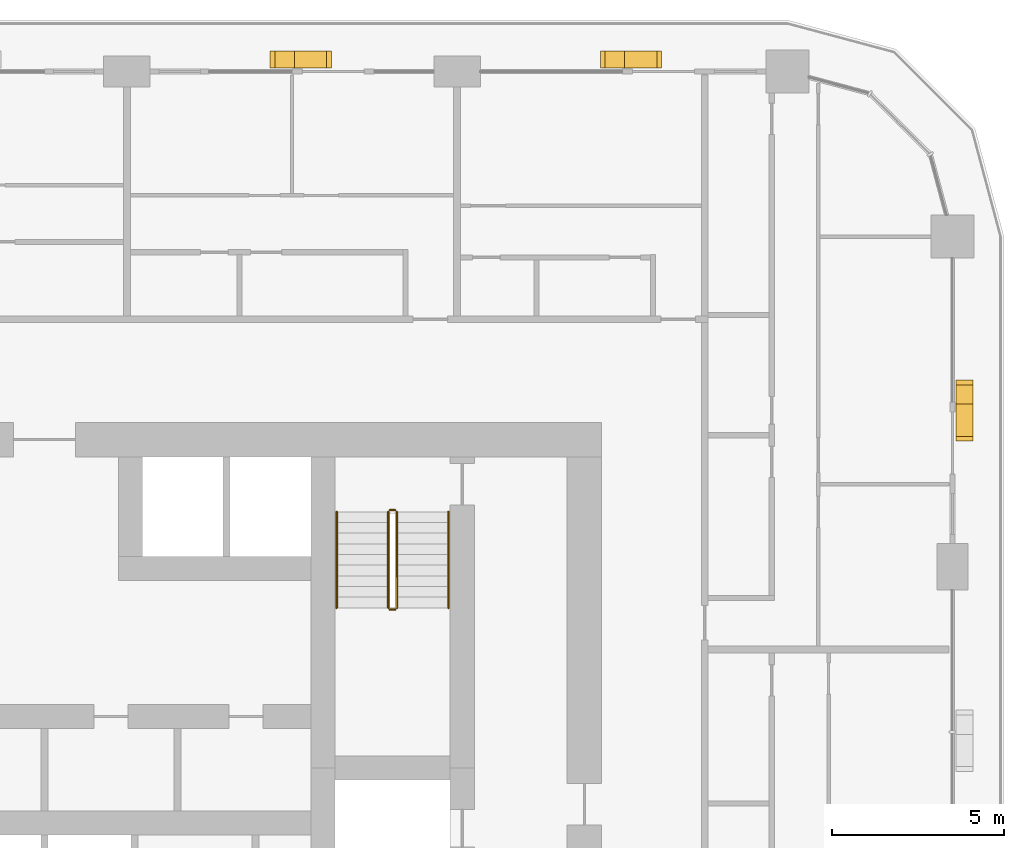
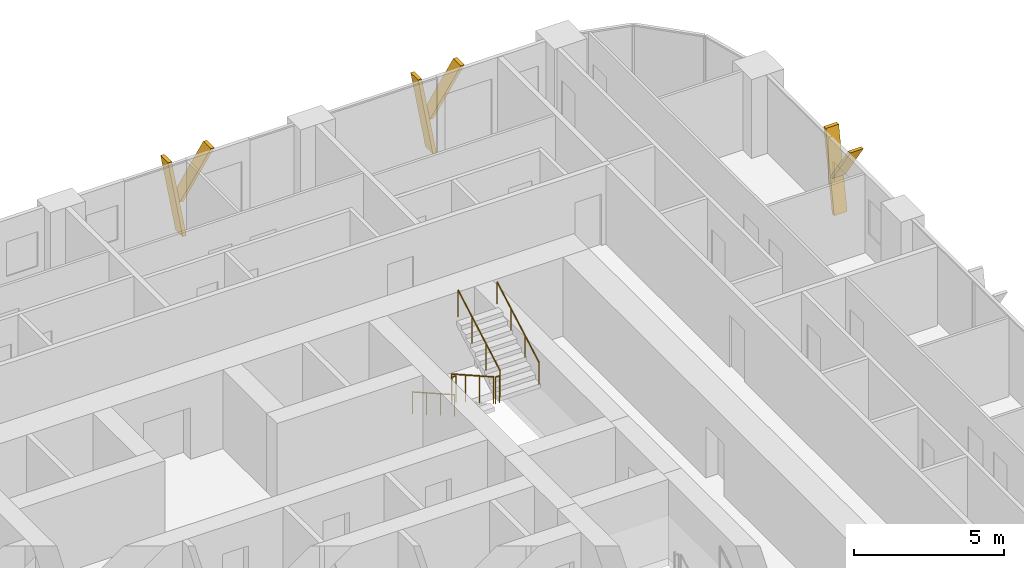
# One storey, part 21 of 21: 6 railings, 6 shading devices.
"""IFC4 building model written with IfcOpenShell, lengths in metres."""

from ifc_helpers import new_model, si_unit, direction, frame, origin, origin_2d, place, context, subcontext, project, spatial, polyline, circle, outline, extrude, material, type_object, element, save


model = new_model("IFC4")

# Units and contexts
model_context = context("Model", 3, precision=1e-05, world=origin(), true_north=direction((0.0, 1.0)))
body_context = subcontext(model_context, "Body", "Model", "MODEL_VIEW")
ifc_project = project(units=[si_unit("LENGTHUNIT", "METRE"), si_unit("AREAUNIT", "SQUARE_METRE"), si_unit("VOLUMEUNIT", "CUBIC_METRE"), si_unit("PLANEANGLEUNIT", "RADIAN"), si_unit("MASSUNIT", "GRAM", prefix="KILO")], contexts=[model_context])

# Site, building, storey
site_placement = place(None, origin())
site = spatial("IfcSite", under=ifc_project, at=site_placement, CompositionType="ELEMENT")
building_placement = place(site_placement, origin())
building = spatial("IfcBuilding", under=site, at=building_placement, Name="Madar Terraces", CompositionType="ELEMENT")
storey_placement = place(building_placement, frame((0.0, 0.0, 36.39990234375)))
storey = spatial("IfcBuildingStorey", under=building, at=storey_placement, Name="L08", CompositionType="ELEMENT", Elevation=36.39990234375)

# Shading devices
ifc_material_1 = material(Name="Aluminium, black anodised", Category="aluminium")
shading_device_type = type_object("IfcShadingDeviceType", Name="Facade fin blade 140 x 500", PredefinedType="USERDEFINED", material=ifc_material_1)
shading_device_1_placement = place(storey_placement, frame((57.949951171875, 38.330078125, 0.0), z_axis=(0.0, 0.0, 1.0), x_axis=(0.0, 1.0, 0.0)))
element("IfcShadingDevice", 1, at=shading_device_1_placement, inside=storey, type_object=shading_device_type, Name="FIN L08 E4", ObjectType="FIN", PredefinedType="USERDEFINED", context=body_context, shape_type="SweptSolid", body=[
    extrude(outline(polyline([(0.0, 0.0), (0.139892578125, 0.0), (0.704345703125, 3.2001953125), (0.564208984375, 3.2001953125), (0.0, 0.0)])), frame((0.0, 0.25, 0.0), z_axis=(0.0, -1.0, 0.0), x_axis=(1.0, 0.0, 0.0)), (0.0, 0.0, 1.0), 0.5),
])
shading_device_2_placement = place(storey_placement, frame((57.949951171875, 38.44384765625, 1.440185546875), z_axis=(0.0, 0.0, 1.0), x_axis=(0.0, 1.0, 0.0)))
element("IfcShadingDevice", 2, at=shading_device_2_placement, inside=storey, type_object=shading_device_type, Name="FIN L08 E4 branch", ObjectType="FIN", PredefinedType="USERDEFINED", context=body_context, shape_type="SweptSolid", body=[
    extrude(outline(polyline([(0.0, 0.0), (0.14013671875, 0.0), (-1.049560546875, 1.760009765625), (-1.189697265625, 1.760009765625), (0.0, 0.0)])), frame((0.0, 0.25, 0.0), z_axis=(0.0, -1.0, 0.0), x_axis=(1.0, 0.0, 0.0)), (0.0, 0.0, 1.0), 0.5),
])
shading_device_3_placement = place(storey_placement, frame((48.070068359375, 48.35009765625, 0.0), z_axis=(0.0, 0.0, 1.0), x_axis=(-1.0, 0.0, 0.0)))
element("IfcShadingDevice", 3, at=shading_device_3_placement, inside=storey, type_object=shading_device_type, Name="FIN L08 N1", ObjectType="FIN", PredefinedType="USERDEFINED", context=body_context, shape_type="SweptSolid", body=[
    extrude(outline(polyline([(0.0, 0.0), (0.14013671875, 0.0), (0.704345703125, 3.2001953125), (0.564208984375, 3.2001953125), (0.0, 0.0)])), frame((0.0, 0.25, 0.0), z_axis=(0.0, -1.0, 0.0), x_axis=(1.0, 0.0, 0.0)), (0.0, 0.0, 1.0), 0.5),
])
shading_device_4_placement = place(storey_placement, frame((47.9560546875, 48.35009765625, 1.440185546875), z_axis=(0.0, 0.0, 1.0), x_axis=(-1.0, 0.0, 0.0)))
element("IfcShadingDevice", 4, at=shading_device_4_placement, inside=storey, type_object=shading_device_type, Name="FIN L08 N1 branch", ObjectType="FIN", PredefinedType="USERDEFINED", context=body_context, shape_type="SweptSolid", body=[
    extrude(outline(polyline([(0.0, 0.0), (0.139892578125, 0.0), (-1.049560546875, 1.760009765625), (-1.189697265625, 1.760009765625), (0.0, 0.0)])), frame((0.0, 0.25, 0.0), z_axis=(0.0, -1.0, 0.0), x_axis=(1.0, 0.0, 0.0)), (0.0, 0.0, 1.0), 0.5),
])
shading_device_5_placement = place(storey_placement, frame((38.469970703125, 48.35009765625, 0.0), z_axis=(0.0, 0.0, 1.0), x_axis=(-1.0, 0.0, 0.0)))
element("IfcShadingDevice", 5, at=shading_device_5_placement, inside=storey, type_object=shading_device_type, Name="FIN L08 N2", ObjectType="FIN", PredefinedType="USERDEFINED", context=body_context, shape_type="SweptSolid", body=[
    extrude(outline(polyline([(0.0, 0.0), (0.139892578125, 0.0), (0.704345703125, 3.2001953125), (0.564208984375, 3.2001953125), (0.0, 0.0)])), frame((0.0, 0.25, 0.0), z_axis=(0.0, -1.0, 0.0), x_axis=(1.0, 0.0, 0.0)), (0.0, 0.0, 1.0), 0.5),
])
shading_device_6_placement = place(storey_placement, frame((38.356201171875, 48.35009765625, 1.440185546875), z_axis=(0.0, 0.0, 1.0), x_axis=(-1.0, 0.0, 0.0)))
element("IfcShadingDevice", 6, at=shading_device_6_placement, inside=storey, type_object=shading_device_type, Name="FIN L08 N2 branch", ObjectType="FIN", PredefinedType="USERDEFINED", context=body_context, shape_type="SweptSolid", body=[
    extrude(outline(polyline([(0.0, 0.0), (0.14013671875, 0.0), (-1.049560546875, 1.760009765625), (-1.189697265625, 1.760009765625), (0.0, 0.0)])), frame((0.0, 0.25, 0.0), z_axis=(0.0, -1.0, 0.0), x_axis=(1.0, 0.0, 0.0)), (0.0, 0.0, 1.0), 0.5),
])

# Railings
ifc_material_2 = material(Name="Stainless steel railing", Category="steel")
railing_type_1 = type_object("IfcRailingType", Name="Stair guard 1100", PredefinedType="GUARDRAIL", material=ifc_material_2)
railing_1_placement = place(storey_placement, frame((41.199951171875, 35.199951171875, 0.175048828125)))
element("IfcRailing", 7, at=railing_1_placement, inside=storey, type_object=railing_type_1, Name="L08 ST2 stair guard 1", PredefinedType="GUARDRAIL", context=body_context, shape_type="SweptSolid", body=[
    extrude(circle(Radius=0.02392578125, at=origin_2d()), frame((0.0, 0.0, 1.076171875), z_axis=(0.0, -0.870833779661, 0.491577591232), x_axis=(1.0, 0.0, 0.0)), (0.0, 0.0, 1.0), 3.203857421875),
    extrude(circle(Radius=0.02099609375, at=origin_2d()), origin(), (0.0, 0.0, 1.0), 1.052001953125),
    extrude(circle(Radius=0.02099609375, at=origin_2d()), frame((0.0, -0.929931640625, 0.52490234375)), (0.0, 0.0, 1.0), 1.052001953125),
    extrude(circle(Radius=0.02099609375, at=origin_2d()), frame((0.0, -1.860107421875, 1.050048828125)), (0.0, 0.0, 1.0), 1.052001953125),
    extrude(circle(Radius=0.02099609375, at=origin_2d()), frame((0.0, -2.7900390625, 1.574951171875)), (0.0, 0.0, 1.0), 1.052001953125),
])
railing_2_placement = place(storey_placement, frame((41.25, 32.360107421875, 1.75)))
element("IfcRailing", 8, at=railing_2_placement, inside=storey, type_object=railing_type_1, Name="L08 ST2 stair guard 2", PredefinedType="GUARDRAIL", context=body_context, shape_type="SweptSolid", body=[
    extrude(circle(Radius=0.02392578125, at=origin_2d()), frame((0.0, 0.0, 1.076171875), z_axis=(1.0, 0.0, 0.0), x_axis=(0.0, 1.0, 0.0)), (0.0, 0.0, 1.0), 0.14990234375),
    extrude(circle(Radius=0.02099609375, at=origin_2d()), origin(), (0.0, 0.0, 1.0), 1.052001953125),
    extrude(circle(Radius=0.02099609375, at=origin_2d()), frame((0.14990234375, 0.0, 0.0)), (0.0, 0.0, 1.0), 1.052001953125),
])
railing_3_placement = place(storey_placement, frame((41.449951171875, 32.409912109375, 1.925048828125)))
element("IfcRailing", 9, at=railing_3_placement, inside=storey, type_object=railing_type_1, Name="L08 ST2 stair guard 3", PredefinedType="GUARDRAIL", context=body_context, shape_type="SweptSolid", body=[
    extrude(circle(Radius=0.02392578125, at=origin_2d()), frame((0.0, 0.0, 1.076171875), z_axis=(0.0, 0.870833779661, 0.491577591232), x_axis=(-1.0, 0.0, 0.0)), (0.0, 0.0, 1.0), 3.203857421875),
    extrude(circle(Radius=0.02099609375, at=origin_2d()), origin(), (0.0, 0.0, 1.0), 1.052001953125),
    extrude(circle(Radius=0.02099609375, at=origin_2d()), frame((0.0, 0.929931640625, 0.52490234375)), (0.0, 0.0, 1.0), 1.052001953125),
    extrude(circle(Radius=0.02099609375, at=origin_2d()), frame((0.0, 1.860107421875, 1.050048828125)), (0.0, 0.0, 1.0), 1.052001953125),
    extrude(circle(Radius=0.02099609375, at=origin_2d()), frame((0.0, 2.7900390625, 1.574951171875)), (0.0, 0.0, 1.0), 1.052001953125),
])
railing_4_placement = place(storey_placement, frame((41.25, 35.25, 0.0)))
element("IfcRailing", 10, at=railing_4_placement, inside=storey, type_object=railing_type_1, Name="L08 ST2 stair guard 4", PredefinedType="GUARDRAIL", context=body_context, shape_type="SweptSolid", body=[
    extrude(circle(Radius=0.02392578125, at=origin_2d()), frame((0.0, 0.0, 1.076171875), z_axis=(1.0, 0.0, 0.0), x_axis=(0.0, 1.0, 0.0)), (0.0, 0.0, 1.0), 0.14990234375),
    extrude(circle(Radius=0.02099609375, at=origin_2d()), origin(), (0.0, 0.0, 1.0), 1.052001953125),
    extrude(circle(Radius=0.02099609375, at=origin_2d()), frame((0.14990234375, 0.0, 0.0)), (0.0, 0.0, 1.0), 1.052001953125),
])
ifc_material_3 = material(Name="Stainless steel railing", Category="steel")
railing_type_2 = type_object("IfcRailingType", Name="Stair handrail 900", PredefinedType="HANDRAIL", material=ifc_material_3)
railing_5_placement = place(storey_placement, frame((39.699951171875, 35.199951171875, 0.175048828125)))
element("IfcRailing", 11, at=railing_5_placement, inside=storey, type_object=railing_type_2, Name="L08 ST2 stair handrail 1", PredefinedType="HANDRAIL", context=body_context, shape_type="SweptSolid", body=[
    extrude(circle(Radius=0.02392578125, at=origin_2d()), frame((0.0, 0.0, 0.8759765625), z_axis=(0.0, -0.870833779661, 0.491577591232), x_axis=(1.0, 0.0, 0.0)), (0.0, 0.0, 1.0), 3.203857421875),
    extrude(circle(Radius=0.02099609375, at=origin_2d()), origin(), (0.0, 0.0, 1.0), 0.851806640625),
    extrude(circle(Radius=0.02099609375, at=origin_2d()), frame((0.0, -0.929931640625, 0.52490234375)), (0.0, 0.0, 1.0), 0.851806640625),
    extrude(circle(Radius=0.02099609375, at=origin_2d()), frame((0.0, -1.860107421875, 1.050048828125)), (0.0, 0.0, 1.0), 0.851806640625),
    extrude(circle(Radius=0.02099609375, at=origin_2d()), frame((0.0, -2.7900390625, 1.574951171875)), (0.0, 0.0, 1.0), 0.851806640625),
])
railing_6_placement = place(storey_placement, frame((42.949951171875, 32.409912109375, 1.925048828125)))
element("IfcRailing", 12, at=railing_6_placement, inside=storey, type_object=railing_type_2, Name="L08 ST2 stair handrail 2", PredefinedType="HANDRAIL", context=body_context, shape_type="SweptSolid", body=[
    extrude(circle(Radius=0.02392578125, at=origin_2d()), frame((0.0, 0.0, 0.8759765625), z_axis=(0.0, 0.870833779661, 0.491577591232), x_axis=(-1.0, 0.0, 0.0)), (0.0, 0.0, 1.0), 3.203857421875),
    extrude(circle(Radius=0.02099609375, at=origin_2d()), origin(), (0.0, 0.0, 1.0), 0.851806640625),
    extrude(circle(Radius=0.02099609375, at=origin_2d()), frame((0.0, 0.929931640625, 0.52490234375)), (0.0, 0.0, 1.0), 0.851806640625),
    extrude(circle(Radius=0.02099609375, at=origin_2d()), frame((0.0, 1.860107421875, 1.050048828125)), (0.0, 0.0, 1.0), 0.851806640625),
    extrude(circle(Radius=0.02099609375, at=origin_2d()), frame((0.0, 2.7900390625, 1.574951171875)), (0.0, 0.0, 1.0), 0.851806640625),
])

save(model, "model.ifc")
